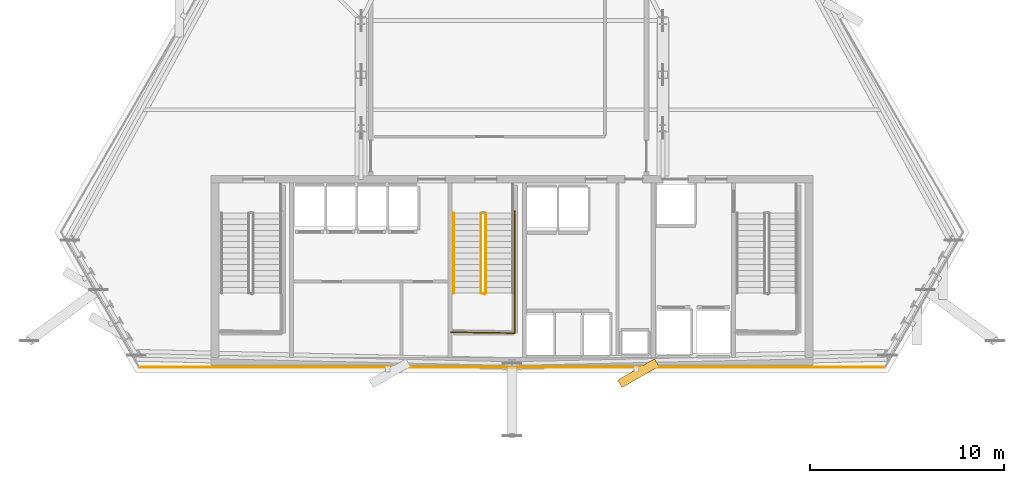
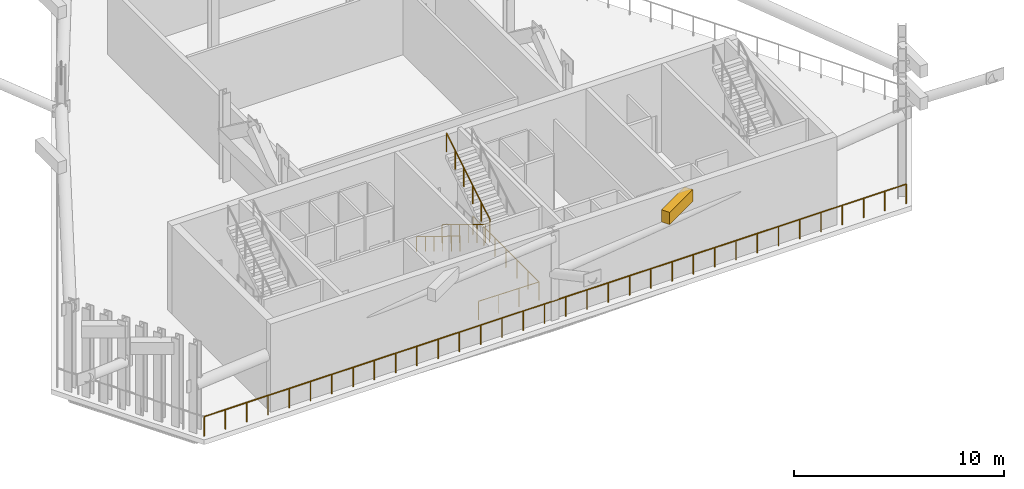
# One storey, part 7 of 11: 5 railings, 1 shading device.
"""IFC4 building model written with IfcOpenShell, lengths in metres."""

from ifc_helpers import new_model, si_unit, direction, frame, origin, origin_2d, place, context, subcontext, project, spatial, rectangle, circle, extrude, material, layer, layer_set, type_object, element, save


model = new_model("IFC4")

# Units and contexts
model_context = context("Model", 3, precision=1e-05, world=origin(), true_north=direction((0.0, 1.0)))
body_context = subcontext(model_context, "Body", "Model", "MODEL_VIEW")
ifc_project = project(units=[si_unit("LENGTHUNIT", "METRE"), si_unit("AREAUNIT", "SQUARE_METRE"), si_unit("VOLUMEUNIT", "CUBIC_METRE"), si_unit("PLANEANGLEUNIT", "RADIAN"), si_unit("MASSUNIT", "GRAM", prefix="KILO")], contexts=[model_context])

# Site, building, storey
site_placement = place(None, origin())
site = spatial("IfcSite", under=ifc_project, at=site_placement, CompositionType="ELEMENT")
building_placement = place(site_placement, origin())
building = spatial("IfcBuilding", under=site, at=building_placement, Name="Ndaravel Arena Tower", CompositionType="ELEMENT")
storey_placement = place(building_placement, frame((0.0, 0.0, 203.0)))
storey = spatial("IfcBuildingStorey", under=building, at=storey_placement, Name="L49", CompositionType="ELEMENT", Elevation=203.0)

# Railings
ifc_material_1 = material(Name="Steel S355", Category="steel")
ifc_layer_1 = layer(ifc_material_1, 0.06005859375)
ifc_layer_set_1 = layer_set([ifc_layer_1], Name="Steel S355")
railing_type_1 = type_object("IfcRailingType", Name="RAIL-STAIR-GD1100", PredefinedType="GUARDRAIL", material=ifc_layer_set_1)
railing_1_placement = place(storey_placement, frame((40.39990234375, 13.25, 0.179931640625)))
element("IfcRailing", 1, at=railing_1_placement, inside=storey, type_object=railing_type_1, Name="L49 ST-2 stair guard 1", PredefinedType="GUARDRAIL", context=body_context, shape_type="SweptSolid", body=[
    extrude(circle(Radius=0.02392578125, at=origin_2d()), frame((0.0, 0.0, 1.076171875), z_axis=(0.0, -0.853630913754, 0.520878357281), x_axis=(1.0, 0.0, 0.0)), (0.0, 0.0, 1.0), 4.838134765625),
    extrude(circle(Radius=0.02392578125, at=origin_2d()), frame((0.0, -4.1298828125, 3.59619140625), z_axis=(0.967074537263, -0.25449329928, 0.0), x_axis=(0.25449329928, 0.967074537263, 0.0)), (0.0, 0.0, 1.0), 0.19677734375),
    extrude(circle(Radius=0.02099609375, at=origin_2d()), origin(), (0.0, 0.0, 1.0), 1.052001953125),
    extrude(circle(Radius=0.02099609375, at=origin_2d()), frame((0.0, -0.825927734375, 0.50390625)), (0.0, 0.0, 1.0), 1.052001953125),
    extrude(circle(Radius=0.02099609375, at=origin_2d()), frame((0.0, -1.65185546875, 1.008056640625)), (0.0, 0.0, 1.0), 1.052001953125),
    extrude(circle(Radius=0.02099609375, at=origin_2d()), frame((0.0, -2.47802734375, 1.511962890625)), (0.0, 0.0, 1.0), 1.052001953125),
    extrude(circle(Radius=0.02099609375, at=origin_2d()), frame((0.0, -3.303955078125, 2.01611328125)), (0.0, 0.0, 1.0), 1.052001953125),
    extrude(circle(Radius=0.02099609375, at=origin_2d()), frame((0.0, -4.1298828125, 2.52001953125)), (0.0, 0.0, 1.0), 1.052001953125),
    extrude(circle(Radius=0.02099609375, at=origin_2d()), frame((0.190185546875, -4.179931640625, 2.52001953125)), (0.0, 0.0, 1.0), 1.052001953125),
])
railing_2_placement = place(storey_placement, frame((40.639892578125, 9.1201171875, 2.8798828125)))
element("IfcRailing", 2, at=railing_2_placement, inside=storey, type_object=railing_type_1, Name="L49 ST-2 stair guard 3", PredefinedType="GUARDRAIL", context=body_context, shape_type="SweptSolid", body=[
    extrude(circle(Radius=0.02392578125, at=origin_2d()), frame((0.0, 0.0, 1.076171875), z_axis=(0.0, 0.853630913754, 0.520878357281), x_axis=(-1.0, 0.0, 0.0)), (0.0, 0.0, 1.0), 4.838134765625),
    extrude(circle(Radius=0.02099609375, at=origin_2d()), origin(), (0.0, 0.0, 1.0), 1.052001953125),
    extrude(circle(Radius=0.02099609375, at=origin_2d()), frame((0.0, 0.825927734375, 0.50390625)), (0.0, 0.0, 1.0), 1.052001953125),
    extrude(circle(Radius=0.02099609375, at=origin_2d()), frame((0.0, 1.65185546875, 1.008056640625)), (0.0, 0.0, 1.0), 1.052001953125),
    extrude(circle(Radius=0.02099609375, at=origin_2d()), frame((0.0, 2.47802734375, 1.511962890625)), (0.0, 0.0, 1.0), 1.052001953125),
    extrude(circle(Radius=0.02099609375, at=origin_2d()), frame((0.0, 3.303955078125, 2.01611328125)), (0.0, 0.0, 1.0), 1.052001953125),
    extrude(circle(Radius=0.02099609375, at=origin_2d()), frame((0.0, 4.1298828125, 2.52001953125)), (0.0, 0.0, 1.0), 1.052001953125),
])
railing_3_placement = place(storey_placement, frame((42.139892578125, 13.35009765625, 0.0)))
element("IfcRailing", 3, at=railing_3_placement, inside=storey, type_object=railing_type_1, Name="L49 ST-2 stair guard 6", PredefinedType="GUARDRAIL", context=body_context, shape_type="SweptSolid", body=[
    extrude(circle(Radius=0.02392578125, at=origin_2d()), frame((0.0, 0.0, 1.076171875), z_axis=(0.0, -1.0, 0.0), x_axis=(1.0, 0.0, 0.0)), (0.0, 0.0, 1.0), 6.300048828125),
    extrude(circle(Radius=0.02392578125, at=origin_2d()), frame((0.0, -6.300048828125, 1.076171875), z_axis=(-0.999884296952, 0.015211597839, 0.0), x_axis=(-0.015211597839, -0.999884296952, 0.0)), (0.0, 0.0, 1.0), 3.290283203125),
    extrude(circle(Radius=0.02099609375, at=origin_2d()), origin(), (0.0, 0.0, 1.0), 1.052001953125),
    extrude(circle(Radius=0.02099609375, at=origin_2d()), frame((0.0, -1.050048828125, 0.0)), (0.0, 0.0, 1.0), 1.052001953125),
    extrude(circle(Radius=0.02099609375, at=origin_2d()), frame((0.0, -2.10009765625, 0.0)), (0.0, 0.0, 1.0), 1.052001953125),
    extrude(circle(Radius=0.02099609375, at=origin_2d()), frame((0.0, -3.14990234375, 0.0)), (0.0, 0.0, 1.0), 1.052001953125),
    extrude(circle(Radius=0.02099609375, at=origin_2d()), frame((0.0, -4.199951171875, 0.0)), (0.0, 0.0, 1.0), 1.052001953125),
    extrude(circle(Radius=0.02099609375, at=origin_2d()), frame((0.0, -5.25, 0.0)), (0.0, 0.0, 1.0), 1.052001953125),
    extrude(circle(Radius=0.02099609375, at=origin_2d()), frame((0.0, -6.300048828125, 0.0)), (0.0, 0.0, 1.0), 1.052001953125),
    extrude(circle(Radius=0.02099609375, at=origin_2d()), frame((-1.0966796875, -6.283447265625, 0.0)), (0.0, 0.0, 1.0), 1.052001953125),
    extrude(circle(Radius=0.02099609375, at=origin_2d()), frame((-2.193115234375, -6.2666015625, 0.0)), (0.0, 0.0, 1.0), 1.052001953125),
    extrude(circle(Radius=0.02099609375, at=origin_2d()), frame((-3.289794921875, -6.25, 0.0)), (0.0, 0.0, 1.0), 1.052001953125),
])
ifc_material_2 = material(Name="Steel S355", Category="steel")
ifc_layer_2 = layer(ifc_material_2, 0.050048828125)
ifc_layer_set_2 = layer_set([ifc_layer_2], Name="Steel S355")
railing_type_2 = type_object("IfcRailingType", Name="RAIL-STAIR-HR920", PredefinedType="HANDRAIL", material=ifc_layer_set_2)
railing_4_placement = place(storey_placement, frame((39.0, 13.25, 0.179931640625)))
element("IfcRailing", 4, at=railing_4_placement, inside=storey, type_object=railing_type_2, Name="L49 ST-2 stair handrail 1", PredefinedType="HANDRAIL", context=body_context, shape_type="SweptSolid", body=[
    extrude(circle(Radius=0.02392578125, at=origin_2d()), frame((0.0, 0.0, 0.8759765625), z_axis=(0.0, -0.853630913754, 0.520878357281), x_axis=(1.0, 0.0, 0.0)), (0.0, 0.0, 1.0), 4.838134765625),
    extrude(circle(Radius=0.02099609375, at=origin_2d()), origin(), (0.0, 0.0, 1.0), 0.851806640625),
    extrude(circle(Radius=0.02099609375, at=origin_2d()), frame((0.0, -0.825927734375, 0.50390625)), (0.0, 0.0, 1.0), 0.851806640625),
    extrude(circle(Radius=0.02099609375, at=origin_2d()), frame((0.0, -1.65185546875, 1.008056640625)), (0.0, 0.0, 1.0), 0.851806640625),
    extrude(circle(Radius=0.02099609375, at=origin_2d()), frame((0.0, -2.47802734375, 1.511962890625)), (0.0, 0.0, 1.0), 0.851806640625),
    extrude(circle(Radius=0.02099609375, at=origin_2d()), frame((0.0, -3.303955078125, 2.01611328125)), (0.0, 0.0, 1.0), 0.851806640625),
    extrude(circle(Radius=0.02099609375, at=origin_2d()), frame((0.0, -4.1298828125, 2.52001953125)), (0.0, 0.0, 1.0), 0.851806640625),
])
ifc_material_3 = material(Name="Glazing", Category="glass")
ifc_layer_3 = layer(ifc_material_3, 0.070068359375)
ifc_layer_set_3 = layer_set([ifc_layer_3], Name="Glazing")
railing_type_3 = type_object("IfcRailingType", Name="RAIL-TERRACE-1150", PredefinedType="BALUSTRADE", material=ifc_layer_set_3)
railing_5_placement = place(storey_placement, frame((22.732666015625, 5.280029296875, 0.0)))
element("IfcRailing", 5, at=railing_5_placement, inside=storey, type_object=railing_type_3, Name="L49 Open Wind Floor Perimeter Guard 1", PredefinedType="BALUSTRADE", context=body_context, shape_type="SweptSolid", body=[
    extrude(circle(Radius=0.02392578125, at=origin_2d()), frame((0.0, 0.0, 1.1259765625), z_axis=(1.0, 0.0, 0.0), x_axis=(0.0, 1.0, 0.0)), (0.0, 0.0, 1.0), 38.53466796875),
    extrude(circle(Radius=0.02099609375, at=origin_2d()), origin(), (0.0, 0.0, 1.0), 1.101806640625),
    extrude(circle(Radius=0.02099609375, at=origin_2d()), frame((1.167724609375, 0.0, 0.0)), (0.0, 0.0, 1.0), 1.101806640625),
    extrude(circle(Radius=0.02099609375, at=origin_2d()), frame((2.33544921875, 0.0, 0.0)), (0.0, 0.0, 1.0), 1.101806640625),
    extrude(circle(Radius=0.02099609375, at=origin_2d()), frame((3.503173828125, 0.0, 0.0)), (0.0, 0.0, 1.0), 1.101806640625),
    extrude(circle(Radius=0.02099609375, at=origin_2d()), frame((4.6708984375, 0.0, 0.0)), (0.0, 0.0, 1.0), 1.101806640625),
    extrude(circle(Radius=0.02099609375, at=origin_2d()), frame((5.838623046875, 0.0, 0.0)), (0.0, 0.0, 1.0), 1.101806640625),
    extrude(circle(Radius=0.02099609375, at=origin_2d()), frame((7.00634765625, 0.0, 0.0)), (0.0, 0.0, 1.0), 1.101806640625),
    extrude(circle(Radius=0.02099609375, at=origin_2d()), frame((8.174072265625, 0.0, 0.0)), (0.0, 0.0, 1.0), 1.101806640625),
    extrude(circle(Radius=0.02099609375, at=origin_2d()), frame((9.341796875, 0.0, 0.0)), (0.0, 0.0, 1.0), 1.101806640625),
    extrude(circle(Radius=0.02099609375, at=origin_2d()), frame((10.509521484375, 0.0, 0.0)), (0.0, 0.0, 1.0), 1.101806640625),
    extrude(circle(Radius=0.02099609375, at=origin_2d()), frame((11.67724609375, 0.0, 0.0)), (0.0, 0.0, 1.0), 1.101806640625),
    extrude(circle(Radius=0.02099609375, at=origin_2d()), frame((12.844970703125, 0.0, 0.0)), (0.0, 0.0, 1.0), 1.101806640625),
    extrude(circle(Radius=0.02099609375, at=origin_2d()), frame((14.0126953125, 0.0, 0.0)), (0.0, 0.0, 1.0), 1.101806640625),
    extrude(circle(Radius=0.02099609375, at=origin_2d()), frame((15.180419921875, 0.0, 0.0)), (0.0, 0.0, 1.0), 1.101806640625),
    extrude(circle(Radius=0.02099609375, at=origin_2d()), frame((16.34814453125, 0.0, 0.0)), (0.0, 0.0, 1.0), 1.101806640625),
    extrude(circle(Radius=0.02099609375, at=origin_2d()), frame((17.515869140625, 0.0, 0.0)), (0.0, 0.0, 1.0), 1.101806640625),
    extrude(circle(Radius=0.02099609375, at=origin_2d()), frame((18.68359375, 0.0, 0.0)), (0.0, 0.0, 1.0), 1.101806640625),
    extrude(circle(Radius=0.02099609375, at=origin_2d()), frame((19.85107421875, 0.0, 0.0)), (0.0, 0.0, 1.0), 1.101806640625),
    extrude(circle(Radius=0.02099609375, at=origin_2d()), frame((21.018798828125, 0.0, 0.0)), (0.0, 0.0, 1.0), 1.101806640625),
    extrude(circle(Radius=0.02099609375, at=origin_2d()), frame((22.1865234375, 0.0, 0.0)), (0.0, 0.0, 1.0), 1.101806640625),
    extrude(circle(Radius=0.02099609375, at=origin_2d()), frame((23.354248046875, 0.0, 0.0)), (0.0, 0.0, 1.0), 1.101806640625),
    extrude(circle(Radius=0.02099609375, at=origin_2d()), frame((24.52197265625, 0.0, 0.0)), (0.0, 0.0, 1.0), 1.101806640625),
    extrude(circle(Radius=0.02099609375, at=origin_2d()), frame((25.689697265625, 0.0, 0.0)), (0.0, 0.0, 1.0), 1.101806640625),
    extrude(circle(Radius=0.02099609375, at=origin_2d()), frame((26.857421875, 0.0, 0.0)), (0.0, 0.0, 1.0), 1.101806640625),
    extrude(circle(Radius=0.02099609375, at=origin_2d()), frame((28.025146484375, 0.0, 0.0)), (0.0, 0.0, 1.0), 1.101806640625),
    extrude(circle(Radius=0.02099609375, at=origin_2d()), frame((29.19287109375, 0.0, 0.0)), (0.0, 0.0, 1.0), 1.101806640625),
    extrude(circle(Radius=0.02099609375, at=origin_2d()), frame((30.360595703125, 0.0, 0.0)), (0.0, 0.0, 1.0), 1.101806640625),
    extrude(circle(Radius=0.02099609375, at=origin_2d()), frame((31.5283203125, 0.0, 0.0)), (0.0, 0.0, 1.0), 1.101806640625),
    extrude(circle(Radius=0.02099609375, at=origin_2d()), frame((32.696044921875, 0.0, 0.0)), (0.0, 0.0, 1.0), 1.101806640625),
    extrude(circle(Radius=0.02099609375, at=origin_2d()), frame((33.86376953125, 0.0, 0.0)), (0.0, 0.0, 1.0), 1.101806640625),
    extrude(circle(Radius=0.02099609375, at=origin_2d()), frame((35.031494140625, 0.0, 0.0)), (0.0, 0.0, 1.0), 1.101806640625),
    extrude(circle(Radius=0.02099609375, at=origin_2d()), frame((36.19921875, 0.0, 0.0)), (0.0, 0.0, 1.0), 1.101806640625),
    extrude(circle(Radius=0.02099609375, at=origin_2d()), frame((37.366943359375, 0.0, 0.0)), (0.0, 0.0, 1.0), 1.101806640625),
    extrude(circle(Radius=0.02099609375, at=origin_2d()), frame((38.53466796875, 0.0, 0.0)), (0.0, 0.0, 1.0), 1.101806640625),
])

# Shading device
ifc_material_4 = material(Name="Aluminium", Category="aluminium")
shading_device_type = type_object("IfcShadingDeviceType", Name="SHD-WIND-LOUVRE", PredefinedType="JALOUSIE", material=ifc_material_4)
shading_device_placement = place(storey_placement, frame((48.52587890625, 4.980712890625, 4.169921875), z_axis=(0.0, 0.0, 1.0), x_axis=(0.5, -0.866025403784, 0.0)))
element("IfcShadingDevice", 6, at=shading_device_placement, inside=storey, type_object=shading_device_type, Name="L49 Wind-Floor Acoustic Louvre 1.2", PredefinedType="JALOUSIE", context=body_context, shape_type="SweptSolid", body=[
    extrude(rectangle(XDim=0.449951171875, YDim=2.199951171875, at=origin_2d()), origin(), (0.0, 0.0, 1.0), 0.699951171875),
])

save(model, "model.ifc")
